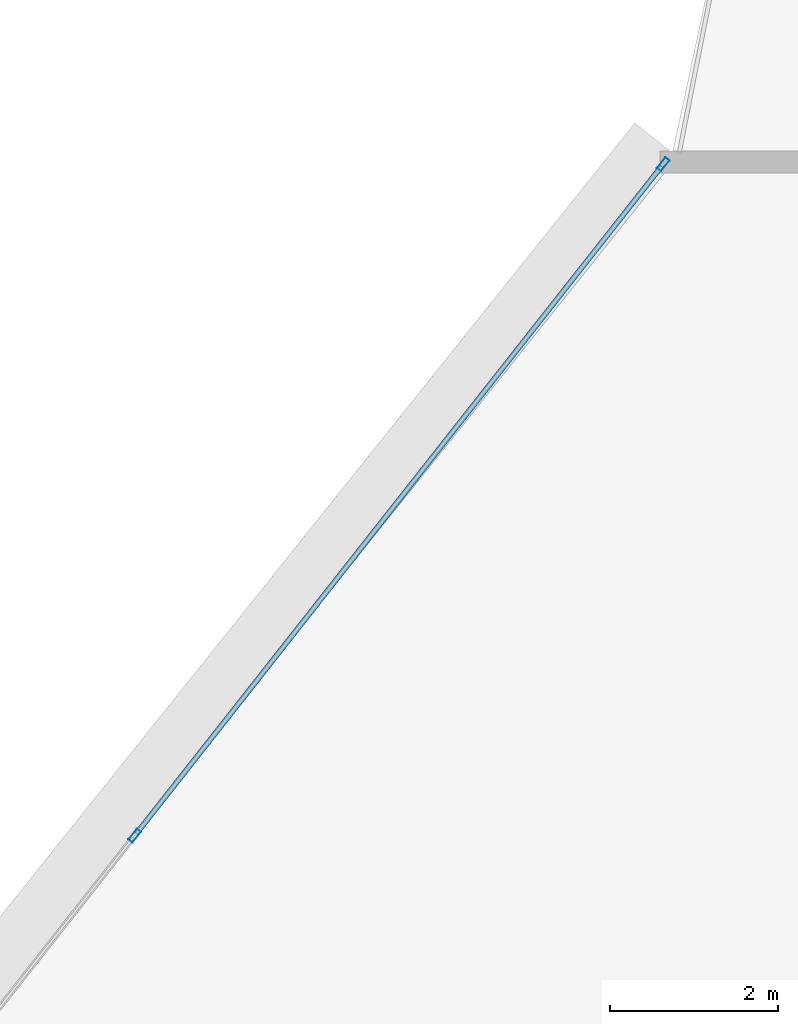
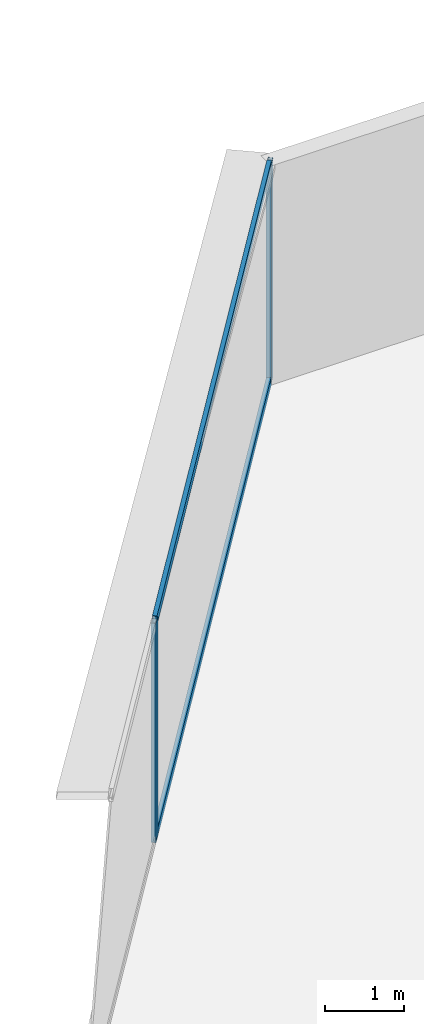
# One storey, part 25 of 38: 4 members, 1 element without a shape of its own.
"""IFC4 building model written with IfcOpenShell, lengths in metres."""

from ifc_helpers import new_model, si_unit, direction, frame, origin, origin_2d, place, context, subcontext, project, spatial, hollow_rectangle, extrude, source, transform, mapped, material, layer, layer_set, material_profile, profile_set, type_object, element, aggregate, save


model = new_model("IFC4")

# Units and contexts
model_context = context("Model", 3, precision=1e-05, world=origin(), true_north=direction((0.0, 1.0)))
body_context = subcontext(model_context, "Body", "Model", "MODEL_VIEW")
ifc_project = project(units=[si_unit("LENGTHUNIT", "METRE"), si_unit("AREAUNIT", "SQUARE_METRE"), si_unit("VOLUMEUNIT", "CUBIC_METRE"), si_unit("PLANEANGLEUNIT", "RADIAN"), si_unit("MASSUNIT", "GRAM", prefix="KILO"), si_unit("THERMODYNAMICTEMPERATUREUNIT", "KELVIN"), si_unit("POWERUNIT", "WATT")], contexts=[model_context])

# Site, building, storey
site_placement = place(None, origin())
site = spatial("IfcSite", under=ifc_project, at=site_placement, CompositionType="ELEMENT")
building_placement = place(site_placement, origin())
building = spatial("IfcBuilding", under=site, at=building_placement, Name="Yunzhuo Pagoda Commons", CompositionType="ELEMENT")
storey_placement = place(building_placement, frame((0.0, 0.0, 37.659912109375)))
storey = spatial("IfcBuildingStorey", under=building, at=storey_placement, Name="L09", CompositionType="ELEMENT", Elevation=37.659912109375)

# Curtain wall, members
ifc_material = material(Name="Anodized aluminium 6063-T6", Category="aluminium")
ifc_layer = layer(ifc_material, 0.1650390625)
ifc_layer_set = layer_set([ifc_layer], Name="Anodized aluminium 6063-T6")
curtain_wall_type = type_object("IfcCurtainWallType", Name="CW-LOW Low-Zone Ribbon Curtain Wall", PredefinedType="NOTDEFINED", material=ifc_layer_set)
curtain_wall_placement = place(storey_placement, origin())
curtain_wall = element("IfcCurtainWall", 1, at=curtain_wall_placement, inside=storey, type_object=curtain_wall_type, Name="L09 curtain wall CW-L09-F3B1", PredefinedType="NOTDEFINED")
ifc_material_profile_1 = material_profile(ifc_material, hollow_rectangle(XDim=0.06005859375, YDim=0.139892578125, WallThickness=0.00341796875, at=origin_2d()), Name="Anodized aluminium 6063-T6")
ifc_profile_set_1 = profile_set([ifc_material_profile_1], Name="Anodized aluminium 6063-T6")
member_type_1 = type_object("IfcMemberType", Name="CW-LOW-T Transom RHS 140x60x3.5", PredefinedType="USERDEFINED", material=ifc_profile_set_1)
shared_shape_1 = source(origin(), body_context, "Body", "SweptSolid", [
    extrude(hollow_rectangle(XDim=0.06005859375, YDim=0.139892578125, WallThickness=0.00341796875, at=origin_2d()), origin(), (0.0, 0.0, 1.0), 10.11669921875),
])
member_1_placement = place(storey_placement, frame((43.201171875, 88.929931640625, 0.030029296875), z_axis=(-0.618471475788, -0.785807249672, 0.0), x_axis=(0.785807249672, -0.618471475788, 0.0)))
member_1 = element("IfcMember", 2, at=member_1_placement, type_object=member_type_1, Name="CW transom 1.1", ObjectType="TRANSOM", PredefinedType="USERDEFINED", context=body_context, shape_type="MappedRepresentation", body=[
    mapped(shared_shape_1, transform((0.0, 0.0, 0.0), scale=1.0)),
])
member_2_placement = place(storey_placement, frame((43.201171875, 88.929931640625, 3.340087890625), z_axis=(-0.618471475788, -0.785807249672, 0.0), x_axis=(0.785807249672, -0.618471475788, 0.0)))
member_2 = element("IfcMember", 3, at=member_2_placement, type_object=member_type_1, Name="CW transom 1.2", ObjectType="TRANSOM", PredefinedType="USERDEFINED", context=body_context, shape_type="MappedRepresentation", body=[
    mapped(shared_shape_1, transform((0.0, 0.0, 0.0), scale=1.0)),
])
ifc_material_profile_2 = material_profile(ifc_material, hollow_rectangle(XDim=0.06494140625, YDim=0.1650390625, WallThickness=0.00390625, at=origin_2d()), Name="Anodized aluminium 6063-T6")
ifc_profile_set_2 = profile_set([ifc_material_profile_2], Name="Anodized aluminium 6063-T6")
member_type_2 = type_object("IfcMemberType", Name="CW-LOW-M Mullion RHS 165x65x4", PredefinedType="MULLION", material=ifc_profile_set_2)
shared_shape_2 = source(origin(), body_context, "Body", "SweptSolid", [
    extrude(hollow_rectangle(XDim=0.06494140625, YDim=0.1650390625, WallThickness=0.00390625, at=origin_2d()), origin(), (0.0, 0.0, 1.0), 3.3701171875),
])
member_3_placement = place(storey_placement, frame((43.22119140625, 88.955322265625, 0.0), z_axis=(0.0, 0.0, 1.0), x_axis=(0.785799632369, -0.618481153932, 0.0)))
member_3 = element("IfcMember", 4, at=member_3_placement, type_object=member_type_2, Name="CW mullion 1", PredefinedType="MULLION", context=body_context, shape_type="MappedRepresentation", body=[
    mapped(shared_shape_2, transform((0.0, 0.0, 0.0), scale=1.0)),
])
member_4_placement = place(storey_placement, frame((36.92431640625, 80.95458984375, 0.0), z_axis=(0.0, 0.0, 1.0), x_axis=(0.785799632369, -0.618481153932, 0.0)))
member_4 = element("IfcMember", 5, at=member_4_placement, type_object=member_type_2, Name="CW mullion 2", PredefinedType="MULLION", context=body_context, shape_type="MappedRepresentation", body=[
    mapped(shared_shape_2, transform((0.0, 0.0, 0.0), scale=1.0)),
])
aggregate(curtain_wall, [member_3, member_4, member_1, member_2])

save(model, "model.ifc")
